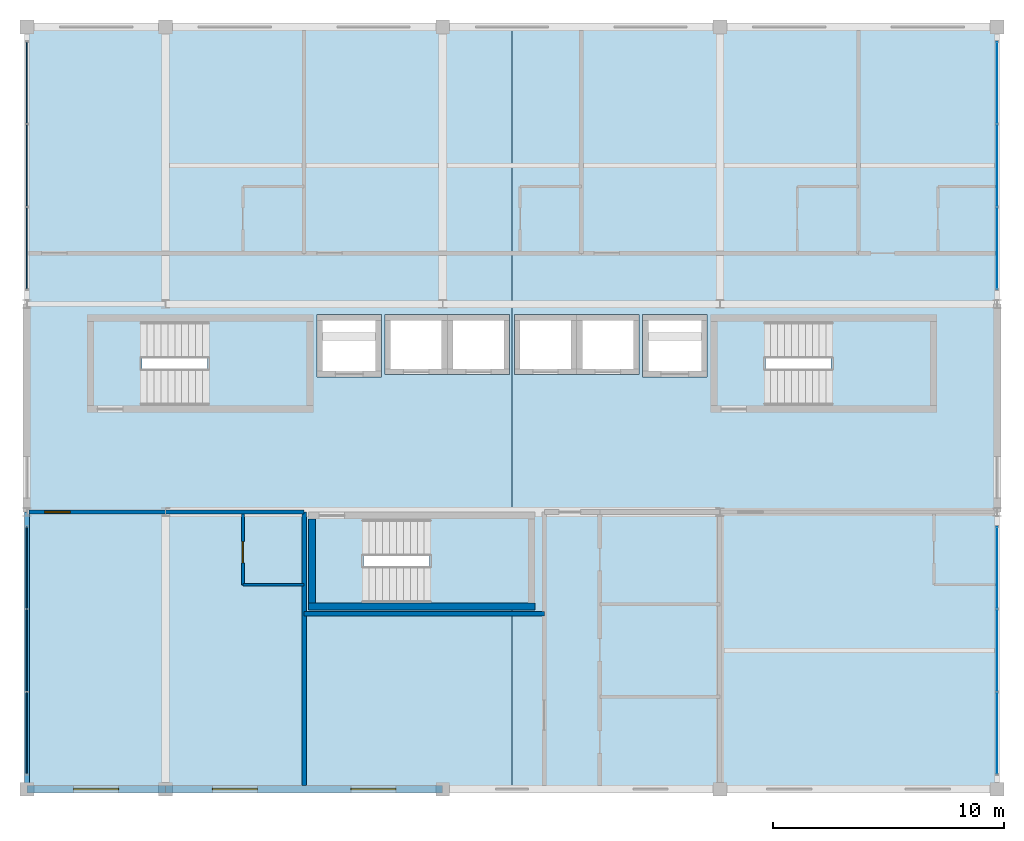
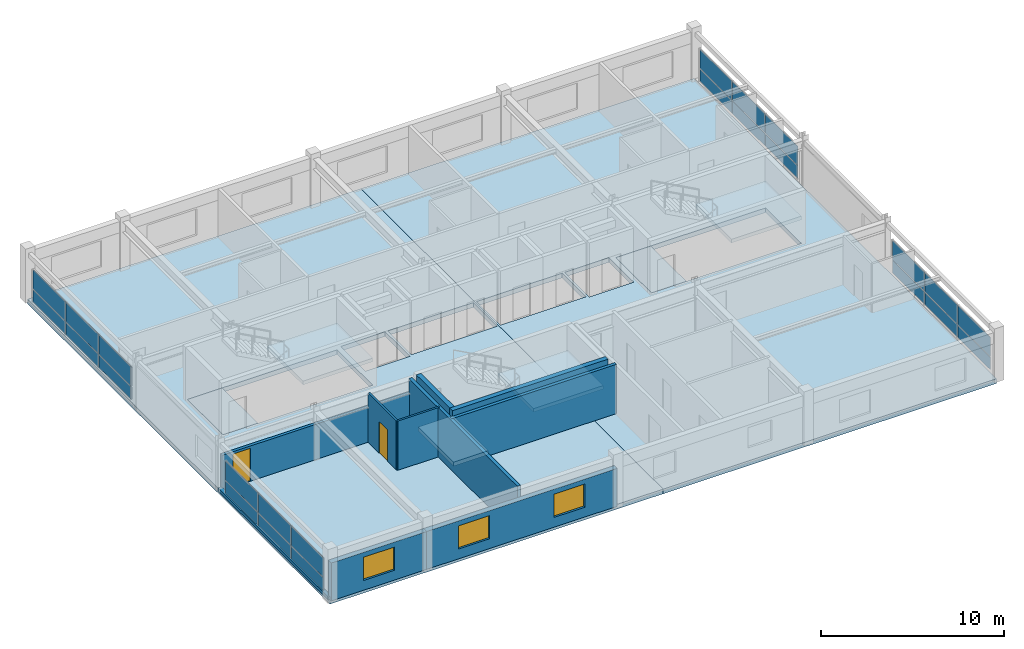
# One storey, part 18 of 22: 24 plates, 10 walls, 8 slabs, 3 windows, 2 doors, 5 openings, 7 elements without a shape of their own.
"""IFC4 building model written with IfcOpenShell, lengths in metres."""

from ifc_helpers import new_model, si_unit, direction, frame, frame_2d, origin, origin_2d, place, context, subcontext, project, spatial, polyline, rectangle, outline, extrude, material, layer, layer_set, type_object, element, fill, aggregate, save


model = new_model("IFC4")

# Units and contexts
model_context = context("Model", 3, precision=1e-05, world=origin(), true_north=direction((0.0, 1.0)))
body_context = subcontext(model_context, "Body", "Model", "MODEL_VIEW")
ifc_project = project(units=[si_unit("LENGTHUNIT", "METRE"), si_unit("AREAUNIT", "SQUARE_METRE"), si_unit("VOLUMEUNIT", "CUBIC_METRE"), si_unit("PLANEANGLEUNIT", "RADIAN"), si_unit("MASSUNIT", "GRAM", prefix="KILO")], contexts=[model_context])

# Site, building, storey
site_placement = place(None, origin())
site = spatial("IfcSite", under=ifc_project, at=site_placement, CompositionType="ELEMENT")
building_placement = place(site_placement, origin())
building = spatial("IfcBuilding", under=site, at=building_placement, Name="Kaldorvane Square Convention Centre", CompositionType="ELEMENT")
storey_placement = place(building_placement, frame((0.0, 0.0, 67.19999694824219)))
storey = spatial("IfcBuildingStorey", under=building, at=storey_placement, Name="L16", CompositionType="ELEMENT", Elevation=67.19999694824219)

# Curtain wall, plates
ifc_material_1 = material(Name="Anodized Aluminum and Low-E Insulated Glazing", Category="aluminium")
curtain_wall_type_1 = type_object("IfcCurtainWallType", Name="CW-UNI-HTL-A", PredefinedType="USERDEFINED", material=ifc_material_1)
curtain_wall_1_placement = place(storey_placement, origin())
curtain_wall_1 = element("IfcCurtainWall", 1, at=curtain_wall_1_placement, inside=storey, type_object=curtain_wall_type_1, Name="Curtain Wall CW-10 (L16)", ObjectType="UNITISED GLAZING", PredefinedType="USERDEFINED")
ifc_layer_1 = layer(ifc_material_1, 0.0240020751953125)
ifc_layer_set_1 = layer_set([ifc_layer_1], Name="Anodized Aluminum and Low-E Insulated Glazing")
plate_type_1 = type_object("IfcPlateType", Name="CW-PNL-11", PredefinedType="CURTAIN_PANEL", material=ifc_layer_set_1)
plate_1_placement = place(storey_placement, frame((78.0, 86.41499328613281, 0.2050018310546875), z_axis=(0.0, 0.0, 1.0), x_axis=(0.0, 1.0, 0.0)))
plate_1 = element("IfcPlate", 2, at=plate_1_placement, type_object=plate_type_1, Name="CW-10 panel 1.1", PredefinedType="CURTAIN_PANEL", context=body_context, shape_type="SweptSolid", body=[
    extrude(rectangle(XDim=3.5099945068359375, YDim=0.0240020751953125, at=origin_2d()), origin(), (0.0, 0.0, 1.0), 0.8175048828125),
])
plate_2_placement = place(storey_placement, frame((78.0, 86.41499328613281, 1.0775146484375), z_axis=(0.0, 0.0, 1.0), x_axis=(0.0, 1.0, 0.0)))
plate_2 = element("IfcPlate", 3, at=plate_2_placement, type_object=plate_type_1, Name="CW-10 panel 1.2", PredefinedType="CURTAIN_PANEL", context=body_context, shape_type="SweptSolid", body=[
    extrude(rectangle(XDim=3.5099945068359375, YDim=0.0240020751953125, at=origin_2d()), origin(), (0.0, 0.0, 1.0), 1.2675018310546875),
])
plate_3_placement = place(storey_placement, frame((78.0, 90.0, 0.2050018310546875), z_axis=(0.0, 0.0, 1.0), x_axis=(0.0, 1.0, 0.0)))
plate_3 = element("IfcPlate", 4, at=plate_3_placement, type_object=plate_type_1, Name="CW-10 panel 2.1", PredefinedType="CURTAIN_PANEL", context=body_context, shape_type="SweptSolid", body=[
    extrude(rectangle(XDim=3.5399932861328125, YDim=0.0240020751953125, at=origin_2d()), origin(), (0.0, 0.0, 1.0), 0.8175048828125),
])
plate_4_placement = place(storey_placement, frame((78.0, 90.0, 1.0775146484375), z_axis=(0.0, 0.0, 1.0), x_axis=(0.0, 1.0, 0.0)))
plate_4 = element("IfcPlate", 5, at=plate_4_placement, type_object=plate_type_1, Name="CW-10 panel 2.2", PredefinedType="CURTAIN_PANEL", context=body_context, shape_type="SweptSolid", body=[
    extrude(rectangle(XDim=3.5399932861328125, YDim=0.0240020751953125, at=origin_2d()), origin(), (0.0, 0.0, 1.0), 1.2675018310546875),
])
plate_5_placement = place(storey_placement, frame((78.0, 93.58500671386719, 0.2050018310546875), z_axis=(0.0, 0.0, 1.0), x_axis=(0.0, 1.0, 0.0)))
plate_5 = element("IfcPlate", 6, at=plate_5_placement, type_object=plate_type_1, Name="CW-10 panel 3.1", PredefinedType="CURTAIN_PANEL", context=body_context, shape_type="SweptSolid", body=[
    extrude(rectangle(XDim=3.5099945068359375, YDim=0.0240020751953125, at=origin_2d()), origin(), (0.0, 0.0, 1.0), 0.8175048828125),
])
plate_6_placement = place(storey_placement, frame((78.0, 93.58500671386719, 1.0775146484375), z_axis=(0.0, 0.0, 1.0), x_axis=(0.0, 1.0, 0.0)))
plate_6 = element("IfcPlate", 7, at=plate_6_placement, type_object=plate_type_1, Name="CW-10 panel 3.2", PredefinedType="CURTAIN_PANEL", context=body_context, shape_type="SweptSolid", body=[
    extrude(rectangle(XDim=3.5099945068359375, YDim=0.0240020751953125, at=origin_2d()), origin(), (0.0, 0.0, 1.0), 1.2675018310546875),
])
aggregate(curtain_wall_1, [plate_1, plate_2, plate_3, plate_4, plate_5, plate_6])

curtain_wall_2_placement = place(storey_placement, origin())
curtain_wall_2 = element("IfcCurtainWall", 8, at=curtain_wall_2_placement, inside=storey, type_object=curtain_wall_type_1, Name="Curtain Wall CW-10 (L16)", ObjectType="UNITISED GLAZING", PredefinedType="USERDEFINED")
plate_7_placement = place(storey_placement, frame((78.0, 107.41499328613281, 0.2050018310546875), z_axis=(0.0, 0.0, 1.0), x_axis=(0.0, 1.0, 0.0)))
plate_7 = element("IfcPlate", 9, at=plate_7_placement, type_object=plate_type_1, Name="CW-10 panel 1.1", PredefinedType="CURTAIN_PANEL", context=body_context, shape_type="SweptSolid", body=[
    extrude(rectangle(XDim=3.5099945068359375, YDim=0.0240020751953125, at=origin_2d()), origin(), (0.0, 0.0, 1.0), 0.8175048828125),
])
plate_8_placement = place(storey_placement, frame((78.0, 107.41499328613281, 1.0775146484375), z_axis=(0.0, 0.0, 1.0), x_axis=(0.0, 1.0, 0.0)))
plate_8 = element("IfcPlate", 10, at=plate_8_placement, type_object=plate_type_1, Name="CW-10 panel 1.2", PredefinedType="CURTAIN_PANEL", context=body_context, shape_type="SweptSolid", body=[
    extrude(rectangle(XDim=3.5099945068359375, YDim=0.0240020751953125, at=origin_2d()), origin(), (0.0, 0.0, 1.0), 1.2675018310546875),
])
plate_9_placement = place(storey_placement, frame((78.0, 111.0, 0.2050018310546875), z_axis=(0.0, 0.0, 1.0), x_axis=(0.0, 1.0, 0.0)))
plate_9 = element("IfcPlate", 11, at=plate_9_placement, type_object=plate_type_1, Name="CW-10 panel 2.1", PredefinedType="CURTAIN_PANEL", context=body_context, shape_type="SweptSolid", body=[
    extrude(rectangle(XDim=3.5399932861328125, YDim=0.0240020751953125, at=origin_2d()), origin(), (0.0, 0.0, 1.0), 0.8175048828125),
])
plate_10_placement = place(storey_placement, frame((78.0, 111.0, 1.0775146484375), z_axis=(0.0, 0.0, 1.0), x_axis=(0.0, 1.0, 0.0)))
plate_10 = element("IfcPlate", 12, at=plate_10_placement, type_object=plate_type_1, Name="CW-10 panel 2.2", PredefinedType="CURTAIN_PANEL", context=body_context, shape_type="SweptSolid", body=[
    extrude(rectangle(XDim=3.5399932861328125, YDim=0.0240020751953125, at=origin_2d()), origin(), (0.0, 0.0, 1.0), 1.2675018310546875),
])
plate_11_placement = place(storey_placement, frame((78.0, 114.58500671386719, 0.2050018310546875), z_axis=(0.0, 0.0, 1.0), x_axis=(0.0, 1.0, 0.0)))
plate_11 = element("IfcPlate", 13, at=plate_11_placement, type_object=plate_type_1, Name="CW-10 panel 3.1", PredefinedType="CURTAIN_PANEL", context=body_context, shape_type="SweptSolid", body=[
    extrude(rectangle(XDim=3.5099945068359375, YDim=0.0240020751953125, at=origin_2d()), origin(), (0.0, 0.0, 1.0), 0.8175048828125),
])
plate_12_placement = place(storey_placement, frame((78.0, 114.58500671386719, 1.0775146484375), z_axis=(0.0, 0.0, 1.0), x_axis=(0.0, 1.0, 0.0)))
plate_12 = element("IfcPlate", 14, at=plate_12_placement, type_object=plate_type_1, Name="CW-10 panel 3.2", PredefinedType="CURTAIN_PANEL", context=body_context, shape_type="SweptSolid", body=[
    extrude(rectangle(XDim=3.5099945068359375, YDim=0.0240020751953125, at=origin_2d()), origin(), (0.0, 0.0, 1.0), 1.2675018310546875),
])
aggregate(curtain_wall_2, [plate_7, plate_8, plate_9, plate_10, plate_11, plate_12])

curtain_wall_type_2 = type_object("IfcCurtainWallType", Name="CW-UNI-HTL-B", PredefinedType="USERDEFINED", material=ifc_material_1)
curtain_wall_3_placement = place(storey_placement, origin())
curtain_wall_3 = element("IfcCurtainWall", 15, at=curtain_wall_3_placement, inside=storey, type_object=curtain_wall_type_2, Name="Curtain Wall CW-11 (L16)", ObjectType="UNITISED GLAZING", PredefinedType="USERDEFINED")
ifc_layer_2 = layer(ifc_material_1, 0.0460052490234375)
ifc_layer_set_2 = layer_set([ifc_layer_2], Name="Anodized Aluminum and Low-E Insulated Glazing")
plate_type_2 = type_object("IfcPlateType", Name="CW-PNL-12", PredefinedType="CURTAIN_PANEL", material=ifc_layer_set_2)
plate_13_placement = place(storey_placement, frame((36.0, 93.58500671386719, 0.2050018310546875), z_axis=(0.0, 0.0, 1.0), x_axis=(0.0, -1.0, 0.0)))
plate_13 = element("IfcPlate", 16, at=plate_13_placement, type_object=plate_type_2, Name="CW-11 panel 1.1", PredefinedType="CURTAIN_PANEL", context=body_context, shape_type="SweptSolid", body=[
    extrude(rectangle(XDim=3.5099945068359375, YDim=0.0460052490234375, at=origin_2d()), origin(), (0.0, 0.0, 1.0), 0.8175048828125),
])
plate_14_placement = place(storey_placement, frame((36.0, 93.58500671386719, 1.0775146484375), z_axis=(0.0, 0.0, 1.0), x_axis=(0.0, -1.0, 0.0)))
plate_14 = element("IfcPlate", 17, at=plate_14_placement, type_object=plate_type_2, Name="CW-11 panel 1.2", PredefinedType="CURTAIN_PANEL", context=body_context, shape_type="SweptSolid", body=[
    extrude(rectangle(XDim=3.5099945068359375, YDim=0.0460052490234375, at=origin_2d()), origin(), (0.0, 0.0, 1.0), 1.2675018310546875),
])
plate_15_placement = place(storey_placement, frame((36.0, 90.0, 0.2050018310546875), z_axis=(0.0, 0.0, 1.0), x_axis=(0.0, -1.0, 0.0)))
plate_15 = element("IfcPlate", 18, at=plate_15_placement, type_object=plate_type_2, Name="CW-11 panel 2.1", PredefinedType="CURTAIN_PANEL", context=body_context, shape_type="SweptSolid", body=[
    extrude(rectangle(XDim=3.5399932861328125, YDim=0.0460052490234375, at=origin_2d()), origin(), (0.0, 0.0, 1.0), 0.8175048828125),
])
plate_16_placement = place(storey_placement, frame((36.0, 90.0, 1.0775146484375), z_axis=(0.0, 0.0, 1.0), x_axis=(0.0, -1.0, 0.0)))
plate_16 = element("IfcPlate", 19, at=plate_16_placement, type_object=plate_type_2, Name="CW-11 panel 2.2", PredefinedType="CURTAIN_PANEL", context=body_context, shape_type="SweptSolid", body=[
    extrude(rectangle(XDim=3.5399932861328125, YDim=0.0460052490234375, at=origin_2d()), origin(), (0.0, 0.0, 1.0), 1.2675018310546875),
])
plate_17_placement = place(storey_placement, frame((36.0, 86.41499328613281, 0.2050018310546875), z_axis=(0.0, 0.0, 1.0), x_axis=(0.0, -1.0, 0.0)))
plate_17 = element("IfcPlate", 20, at=plate_17_placement, type_object=plate_type_2, Name="CW-11 panel 3.1", PredefinedType="CURTAIN_PANEL", context=body_context, shape_type="SweptSolid", body=[
    extrude(rectangle(XDim=3.5099945068359375, YDim=0.0460052490234375, at=origin_2d()), origin(), (0.0, 0.0, 1.0), 0.8175048828125),
])
plate_18_placement = place(storey_placement, frame((36.0, 86.41499328613281, 1.0775146484375), z_axis=(0.0, 0.0, 1.0), x_axis=(0.0, -1.0, 0.0)))
plate_18 = element("IfcPlate", 21, at=plate_18_placement, type_object=plate_type_2, Name="CW-11 panel 3.2", PredefinedType="CURTAIN_PANEL", context=body_context, shape_type="SweptSolid", body=[
    extrude(rectangle(XDim=3.5099945068359375, YDim=0.0460052490234375, at=origin_2d()), origin(), (0.0, 0.0, 1.0), 1.2675018310546875),
])
aggregate(curtain_wall_3, [plate_13, plate_14, plate_15, plate_16, plate_17, plate_18])

curtain_wall_4_placement = place(storey_placement, origin())
curtain_wall_4 = element("IfcCurtainWall", 22, at=curtain_wall_4_placement, inside=storey, type_object=curtain_wall_type_2, Name="Curtain Wall CW-11 (L16)", ObjectType="UNITISED GLAZING", PredefinedType="USERDEFINED")
plate_19_placement = place(storey_placement, frame((36.0, 114.58500671386719, 0.2050018310546875), z_axis=(0.0, 0.0, 1.0), x_axis=(0.0, -1.0, 0.0)))
plate_19 = element("IfcPlate", 23, at=plate_19_placement, type_object=plate_type_2, Name="CW-11 panel 1.1", PredefinedType="CURTAIN_PANEL", context=body_context, shape_type="SweptSolid", body=[
    extrude(rectangle(XDim=3.5099945068359375, YDim=0.0460052490234375, at=origin_2d()), origin(), (0.0, 0.0, 1.0), 0.8175048828125),
])
plate_20_placement = place(storey_placement, frame((36.0, 114.58500671386719, 1.0775146484375), z_axis=(0.0, 0.0, 1.0), x_axis=(0.0, -1.0, 0.0)))
plate_20 = element("IfcPlate", 24, at=plate_20_placement, type_object=plate_type_2, Name="CW-11 panel 1.2", PredefinedType="CURTAIN_PANEL", context=body_context, shape_type="SweptSolid", body=[
    extrude(rectangle(XDim=3.5099945068359375, YDim=0.0460052490234375, at=origin_2d()), origin(), (0.0, 0.0, 1.0), 1.2675018310546875),
])
plate_21_placement = place(storey_placement, frame((36.0, 111.0, 0.2050018310546875), z_axis=(0.0, 0.0, 1.0), x_axis=(0.0, -1.0, 0.0)))
plate_21 = element("IfcPlate", 25, at=plate_21_placement, type_object=plate_type_2, Name="CW-11 panel 2.1", PredefinedType="CURTAIN_PANEL", context=body_context, shape_type="SweptSolid", body=[
    extrude(rectangle(XDim=3.5399932861328125, YDim=0.0460052490234375, at=origin_2d()), origin(), (0.0, 0.0, 1.0), 0.8175048828125),
])
plate_22_placement = place(storey_placement, frame((36.0, 111.0, 1.0775146484375), z_axis=(0.0, 0.0, 1.0), x_axis=(0.0, -1.0, 0.0)))
plate_22 = element("IfcPlate", 26, at=plate_22_placement, type_object=plate_type_2, Name="CW-11 panel 2.2", PredefinedType="CURTAIN_PANEL", context=body_context, shape_type="SweptSolid", body=[
    extrude(rectangle(XDim=3.5399932861328125, YDim=0.0460052490234375, at=origin_2d()), origin(), (0.0, 0.0, 1.0), 1.2675018310546875),
])
plate_23_placement = place(storey_placement, frame((36.0, 107.41499328613281, 0.2050018310546875), z_axis=(0.0, 0.0, 1.0), x_axis=(0.0, -1.0, 0.0)))
plate_23 = element("IfcPlate", 27, at=plate_23_placement, type_object=plate_type_2, Name="CW-11 panel 3.1", PredefinedType="CURTAIN_PANEL", context=body_context, shape_type="SweptSolid", body=[
    extrude(rectangle(XDim=3.5099945068359375, YDim=0.0460052490234375, at=origin_2d()), origin(), (0.0, 0.0, 1.0), 0.8175048828125),
])
plate_24_placement = place(storey_placement, frame((36.0, 107.41499328613281, 1.0775146484375), z_axis=(0.0, 0.0, 1.0), x_axis=(0.0, -1.0, 0.0)))
plate_24 = element("IfcPlate", 28, at=plate_24_placement, type_object=plate_type_2, Name="CW-11 panel 3.2", PredefinedType="CURTAIN_PANEL", context=body_context, shape_type="SweptSolid", body=[
    extrude(rectangle(XDim=3.5099945068359375, YDim=0.0460052490234375, at=origin_2d()), origin(), (0.0, 0.0, 1.0), 1.2675018310546875),
])
aggregate(curtain_wall_4, [plate_19, plate_20, plate_21, plate_22, plate_23, plate_24])

# Slabs
ifc_material_2 = material(Name="Concrete f'c = 42 MPa (Normalweight)", Category="concrete")
ifc_layer_3 = layer(ifc_material_2, 0.279998779296875)
ifc_layer_set_3 = layer_set([ifc_layer_3], Name="Concrete f'c = 42 MPa (Normalweight)")
slab_type_1 = type_object("IfcSlabType", Name="SL-FLND-280", PredefinedType="FLOOR", material=ifc_layer_set_3)
slab_1_placement = place(storey_placement, frame((0.0, 0.0, -0.279998779296875)))
element("IfcSlab", 29, at=slab_1_placement, inside=storey, type_object=slab_type_1, Name="Tower Exit Stair T1 Floor Landing (L16)", PredefinedType="FLOOR", context=body_context, shape_type="SweptSolid", body=[
    extrude(outline(polyline([(38.779998779296875, 100.49000549316406), (40.97999572753906, 100.49000549316406), (40.97999572753906, 104.3699951171875), (38.779998779296875, 104.3699951171875), (38.779998779296875, 100.49000549316406)])), origin(), (0.0, 0.0, 1.0), 0.279998779296875),
])
slab_2_placement = place(storey_placement, frame((0.0, 0.0, -0.279998779296875)))
element("IfcSlab", 30, at=slab_2_placement, inside=storey, type_object=slab_type_1, Name="Tower Exit Stair T2 Floor Landing (L16)", PredefinedType="FLOOR", context=body_context, shape_type="SweptSolid", body=[
    extrude(outline(polyline([(65.77999877929688, 100.49000549316406), (67.97999572753906, 100.49000549316406), (67.97999572753906, 104.3699951171875), (65.77999877929688, 104.3699951171875), (65.77999877929688, 100.49000549316406)])), origin(), (0.0, 0.0, 1.0), 0.279998779296875),
])
slab_3_placement = place(storey_placement, frame((0.0, 0.0, -0.279998779296875)))
element("IfcSlab", 31, at=slab_3_placement, inside=storey, type_object=slab_type_1, Name="Tower Exit Stair T3 Floor Landing (L16)", PredefinedType="FLOOR", context=body_context, shape_type="SweptSolid", body=[
    extrude(outline(polyline([(48.3800048828125, 91.94000244140625), (50.58000183105469, 91.94000244140625), (50.58000183105469, 95.82000732421875), (48.3800048828125, 95.82000732421875), (48.3800048828125, 91.94000244140625)])), origin(), (0.0, 0.0, 1.0), 0.279998779296875),
])
ifc_layer_4 = layer(ifc_material_2, 0.30999755859375)
ifc_layer_set_4 = layer_set([ifc_layer_4], Name="Concrete f'c = 42 MPa (Normalweight)")
slab_type_2 = type_object("IfcSlabType", Name="SL-HTL-250", PredefinedType="FLOOR", material=ifc_layer_set_4)
slab_4_placement = place(storey_placement, frame((0.0, 0.0, -0.30999755859375)))
element("IfcSlab", 32, at=slab_4_placement, inside=storey, type_object=slab_type_2, Name="Hotel Tower Floor Slab L16-1.1", PredefinedType="FLOOR", context=body_context, shape_type="SweptSolid", body=[
    extrude(outline(polyline([(36.0, 117.0), (57.0, 117.0), (57.0, 95.82000732421875), (48.3800048828125, 95.82000732421875), (48.3800048828125, 91.94000244140625), (57.0, 91.94000244140625), (57.0, 84.0), (36.0, 84.0), (36.0, 117.0)]), holes=[polyline([(38.779998779296875, 104.3699951171875), (38.779998779296875, 100.49000549316406), (48.220001220703125, 100.49000549316406), (48.220001220703125, 104.3699951171875), (38.779998779296875, 104.3699951171875)]), polyline([(48.55000305175781, 104.55000305175781), (48.55000305175781, 101.85000610351562), (51.350006103515625, 101.85000610351562), (51.350006103515625, 104.55000305175781), (48.55000305175781, 104.55000305175781)]), polyline([(51.5, 104.55000305175781), (51.5, 101.94999694824219), (54.19999694824219, 101.94999694824219), (56.899993896484375, 101.94999694824219), (56.899993896484375, 104.55000305175781), (54.19999694824219, 104.55000305175781), (51.5, 104.55000305175781)])]), origin(), (0.0, 0.0, 1.0), 0.30999755859375),
])
slab_5_placement = place(storey_placement, frame((0.0, 0.0, -0.30999755859375)))
element("IfcSlab", 33, at=slab_5_placement, inside=storey, type_object=slab_type_2, Name="Hotel Tower Floor Slab L16-2.1", PredefinedType="FLOOR", context=body_context, shape_type="SweptSolid", body=[
    extrude(outline(polyline([(78.0, 117.0), (78.0, 84.0), (57.0, 84.0), (57.0, 91.94000244140625), (57.82000732421875, 91.94000244140625), (57.82000732421875, 95.82000732421875), (57.0, 95.82000732421875), (57.0, 117.0), (78.0, 117.0)]), holes=[polyline([(65.77999877929688, 104.3699951171875), (65.77999877929688, 100.49000549316406), (75.22000122070312, 100.49000549316406), (75.22000122070312, 104.3699951171875), (65.77999877929688, 104.3699951171875)]), polyline([(62.649993896484375, 104.55000305175781), (62.649993896484375, 101.85000610351562), (65.44999694824219, 101.85000610351562), (65.44999694824219, 104.55000305175781), (62.649993896484375, 104.55000305175781)]), polyline([(57.100006103515625, 104.55000305175781), (57.100006103515625, 101.94999694824219), (59.80000305175781, 101.94999694824219), (62.5, 101.94999694824219), (62.5, 104.55000305175781), (59.80000305175781, 104.55000305175781), (57.100006103515625, 104.55000305175781)])]), origin(), (0.0, 0.0, 1.0), 0.30999755859375),
])

# Stair, slab
stair_type = type_object("IfcStairType", Name="ST-DL-1600-3600", PredefinedType="HALF_TURN_STAIR", material=ifc_material_2)
stair_1_placement = place(storey_placement, origin())
stair_1 = element("IfcStair", 34, at=stair_1_placement, inside=storey, type_object=stair_type, Name="Tower Exit Stair T1 (L16)", PredefinedType="HALF_TURN_STAIR")
ifc_layer_5 = layer(ifc_material_2, 0.2400054931640625)
ifc_layer_set_5 = layer_set([ifc_layer_5], Name="Concrete f'c = 42 MPa (Normalweight)")
slab_type_3 = type_object("IfcSlabType", Name="SL-LAND-240", PredefinedType="LANDING", material=ifc_layer_set_5)
slab_6_placement = place(storey_placement, frame((0.0, 0.0, 1.55999755859375)))
slab_6 = element("IfcSlab", 35, at=slab_6_placement, type_object=slab_type_3, Name="Tower Exit Stair T1 Half Landing (L16)", PredefinedType="LANDING", context=body_context, shape_type="SweptSolid", body=[
    extrude(outline(polyline([(43.82000732421875, 100.49000549316406), (48.220001220703125, 100.49000549316406), (48.220001220703125, 104.3699951171875), (43.82000732421875, 104.3699951171875), (43.82000732421875, 100.49000549316406)])), origin(), (0.0, 0.0, 1.0), 0.2400054931640625),
])
aggregate(stair_1, [slab_6])

stair_2_placement = place(storey_placement, origin())
stair_2 = element("IfcStair", 36, at=stair_2_placement, inside=storey, type_object=stair_type, Name="Tower Exit Stair T2 (L16)", PredefinedType="HALF_TURN_STAIR")
slab_7_placement = place(storey_placement, frame((0.0, 0.0, 1.55999755859375)))
slab_7 = element("IfcSlab", 37, at=slab_7_placement, type_object=slab_type_3, Name="Tower Exit Stair T2 Half Landing (L16)", PredefinedType="LANDING", context=body_context, shape_type="SweptSolid", body=[
    extrude(outline(polyline([(70.82000732421875, 100.49000549316406), (75.22000122070312, 100.49000549316406), (75.22000122070312, 104.3699951171875), (70.82000732421875, 104.3699951171875), (70.82000732421875, 100.49000549316406)])), origin(), (0.0, 0.0, 1.0), 0.2400054931640625),
])
aggregate(stair_2, [slab_7])

stair_3_placement = place(storey_placement, origin())
stair_3 = element("IfcStair", 38, at=stair_3_placement, inside=storey, type_object=stair_type, Name="Tower Exit Stair T3 (L16)", PredefinedType="HALF_TURN_STAIR")
slab_8_placement = place(storey_placement, frame((0.0, 0.0, 1.55999755859375)))
slab_8 = element("IfcSlab", 39, at=slab_8_placement, type_object=slab_type_3, Name="Tower Exit Stair T3 Half Landing (L16)", PredefinedType="LANDING", context=body_context, shape_type="SweptSolid", body=[
    extrude(outline(polyline([(53.41999816894531, 91.94000244140625), (57.82000732421875, 91.94000244140625), (57.82000732421875, 95.82000732421875), (53.41999816894531, 95.82000732421875), (53.41999816894531, 91.94000244140625)])), origin(), (0.0, 0.0, 1.0), 0.2400054931640625),
])
aggregate(stair_3, [slab_8])

# Wall, opening, door
ifc_material_3 = material(Name="Fire-Rated Gypsum Board on Acoustic Steel Studs", Category="steel")
ifc_layer_6 = layer(ifc_material_3, 0.125)
ifc_layer_set_6 = layer_set([ifc_layer_6], Name="Fire-Rated Gypsum Board on Acoustic Steel Studs")
wall_type_1 = type_object("IfcWallType", Name="WL-BATH-125", PredefinedType="PARTITIONING", material=ifc_layer_set_6)
wall_1_placement = place(storey_placement, frame((45.350006103515625, 92.85000610351562, 0.0), z_axis=(0.0, 0.0, 1.0), x_axis=(0.0, 1.0, 0.0)))
wall_1 = element("IfcWall", 40, at=wall_1_placement, inside=storey, type_object=wall_type_1, Name="En-Suite 1605 West Wall", PredefinedType="PARTITIONING", context=body_context, shape_type="SweptSolid", body=[
    extrude(rectangle(XDim=3.05999755859375, YDim=0.125, at=frame_2d((1.529998779296875, 0.0))), origin(), (0.0, 0.0, 1.0), 3.279998779296875),
])
opening_1_placement = place(wall_1_placement, frame((0.9499969482421875, 0.0, 0.0)))
opening_1 = element("IfcOpeningElement", 41, at=opening_1_placement, cuts=wall_1, Name="Opening ID-12", PredefinedType="OPENING", context=body_context, shape_type="SweptSolid", body=[
    extrude(rectangle(XDim=0.9199981689453125, YDim=2.100006103515625, at=frame_2d((0.459991455078125, 1.0500030517578125))), frame((0.0, 0.0774993896484375, 0.0), z_axis=(0.0, -1.0, 0.0), x_axis=(1.0, 0.0, 0.0)), (0.0, 0.0, 1.0), 0.154998779296875),
])
ifc_material_4 = material(Name="Architectural Solid-Core White Oak")
door_type_1 = type_object("IfcDoorType", Name="DR-BATH-0920X2100", OperationType="SINGLE_SWING_RIGHT", PredefinedType="DOOR", material=ifc_material_4)
door_1_placement = place(opening_1_placement, origin())
door_1 = element("IfcDoor", 42, at=door_1_placement, inside=storey, type_object=door_type_1, Name="En-Suite Bathroom 1605 Door", OperationType="SINGLE_SWING_RIGHT", OverallHeight=2.100006103515625, OverallWidth=0.9199981689453125, PredefinedType="DOOR", context=body_context, shape_type="SweptSolid", body=[
    extrude(rectangle(XDim=0.9199981689453125, YDim=2.100006103515625, at=frame_2d((0.459991455078125, 1.0500030517578125))), frame((0.0, 0.024993896484375, 0.0), z_axis=(0.0, -1.0, 0.0), x_axis=(1.0, 0.0, 0.0)), (0.0, 0.0, 1.0), 0.0500030517578125),
])
fill(opening_1, door_1)

# Walls
wall_2_placement = place(storey_placement, frame((45.350006103515625, 92.85000610351562, 0.0), z_axis=(0.0, 0.0, 1.0), x_axis=(1.0, 0.0, 0.0)))
element("IfcWall", 43, at=wall_2_placement, inside=storey, type_object=wall_type_1, Name="En-Suite 1605 South Wall", PredefinedType="PARTITIONING", context=body_context, shape_type="SweptSolid", body=[
    extrude(rectangle(XDim=2.649993896484375, YDim=0.125, at=frame_2d((1.3249969482421875, 0.0))), origin(), (0.0, 0.0, 1.0), 3.279998779296875),
])
ifc_layer_7 = layer(ifc_material_3, 0.1999969482421875)
ifc_layer_set_7 = layer_set([ifc_layer_7], Name="Fire-Rated Gypsum Board on Acoustic Steel Studs")
wall_type_2 = type_object("IfcWallType", Name="WL-CORR-200", PredefinedType="PARTITIONING", material=ifc_layer_set_7)
wall_3_placement = place(storey_placement, frame((48.0, 91.60000610351562, 0.0), z_axis=(0.0, 0.0, 1.0), x_axis=(1.0, 0.0, 0.0)))
element("IfcWall", 44, at=wall_3_placement, inside=storey, type_object=wall_type_2, Name="Housekeeping North Wall (L16)", PredefinedType="PARTITIONING", context=body_context, shape_type="SweptSolid", body=[
    extrude(rectangle(XDim=10.399993896484375, YDim=0.1999969482421875, at=frame_2d((5.1999969482421875, 0.0))), origin(), (0.0, 0.0, 1.0), 3.279998779296875),
])
wall_4_placement = place(storey_placement, frame((48.0, 84.16000366210938, 0.0), z_axis=(0.0, 0.0, 1.0), x_axis=(0.0, 1.0, 0.0)))
element("IfcWall", 45, at=wall_4_placement, inside=storey, type_object=wall_type_2, Name="Service Block West Wall (L16)", PredefinedType="PARTITIONING", context=body_context, shape_type="SweptSolid", body=[
    extrude(rectangle(XDim=11.839996337890625, YDim=0.1999969482421875, at=frame_2d((5.9199981689453125, 0.0))), origin(), (0.0, 0.0, 1.0), 3.279998779296875),
])

# Wall, opening, window
ifc_material_5 = material(Name="Concrete f'c = 35 MPa (Normalweight)", Category="concrete")
ifc_layer_8 = layer(ifc_material_5, 0.32000732421875)
ifc_layer_set_8 = layer_set([ifc_layer_8], Name="Concrete f'c = 35 MPa (Normalweight)")
wall_type_3 = type_object("IfcWallType", Name="WL-EXT-320", PredefinedType="STANDARD", material=ifc_layer_set_8)
wall_5_placement = place(storey_placement, frame((36.0, 84.0, 0.0), z_axis=(0.0, 0.0, 1.0), x_axis=(1.0, 0.0, 0.0)))
wall_5 = element("IfcWall", 46, at=wall_5_placement, inside=storey, type_object=wall_type_3, Name="Hotel S Brutalist Facade Wall (L16)", PredefinedType="STANDARD", context=body_context, shape_type="SweptSolid", body=[
    extrude(rectangle(XDim=6.0, YDim=0.32000732421875, at=frame_2d((3.0, 0.0))), origin(), (0.0, 0.0, 1.0), 2.5260009765625),
])
opening_2_placement = place(wall_5_placement, frame((2.024993896484375, 0.0, 0.649993896484375)))
opening_2 = element("IfcOpeningElement", 47, at=opening_2_placement, cuts=wall_5, Name="Opening W-12", PredefinedType="OPENING", context=body_context, shape_type="SweptSolid", body=[
    extrude(rectangle(XDim=1.9499969482421875, YDim=1.5500030517578125, at=frame_2d((0.975006103515625, 0.774993896484375))), frame((0.0, 0.1750030517578125, 0.0), z_axis=(0.0, -1.0, 0.0), x_axis=(1.0, 0.0, 0.0)), (0.0, 0.0, 1.0), 0.350006103515625),
])
window_type = type_object("IfcWindowType", Name="WN-HTL-1950X1550", PartitioningType="DOUBLE_PANEL_VERTICAL", PredefinedType="WINDOW", material=ifc_material_1)
window_1_placement = place(opening_2_placement, origin())
window_1 = element("IfcWindow", 48, at=window_1_placement, inside=storey, type_object=window_type, Name="Hotel S Window (L16)", OverallHeight=1.5500030517578125, OverallWidth=1.9499969482421875, PartitioningType="DOUBLE_PANEL_VERTICAL", PredefinedType="WINDOW", context=body_context, shape_type="SweptSolid", body=[
    extrude(rectangle(XDim=1.9499969482421875, YDim=1.5500030517578125, at=frame_2d((0.975006103515625, 0.774993896484375))), frame((0.0, 0.029998779296875, 0.0), z_axis=(0.0, -1.0, 0.0), x_axis=(1.0, 0.0, 0.0)), (0.0, 0.0, 1.0), 0.05999755859375),
])
fill(opening_2, window_1)

# Wall, openings, windows
wall_6_placement = place(storey_placement, frame((42.0, 84.0, 0.0), z_axis=(0.0, 0.0, 1.0), x_axis=(1.0, 0.0, 0.0)))
wall_6 = element("IfcWall", 49, at=wall_6_placement, inside=storey, type_object=wall_type_3, Name="Hotel S Brutalist Facade Wall (L16)", PredefinedType="STANDARD", context=body_context, shape_type="SweptSolid", body=[
    extrude(rectangle(XDim=12.0, YDim=0.32000732421875, at=frame_2d((6.0, 0.0))), origin(), (0.0, 0.0, 1.0), 2.5260009765625),
])
opening_3_placement = place(wall_6_placement, frame((2.024993896484375, 0.0, 0.649993896484375)))
opening_3 = element("IfcOpeningElement", 50, at=opening_3_placement, cuts=wall_6, Name="Opening W-12", PredefinedType="OPENING", context=body_context, shape_type="SweptSolid", body=[
    extrude(rectangle(XDim=1.9499969482421875, YDim=1.5500030517578125, at=frame_2d((0.975006103515625, 0.774993896484375))), frame((0.0, 0.1750030517578125, 0.0), z_axis=(0.0, -1.0, 0.0), x_axis=(1.0, 0.0, 0.0)), (0.0, 0.0, 1.0), 0.350006103515625),
])
opening_4_placement = place(wall_6_placement, frame((8.024993896484375, 0.0, 0.649993896484375)))
opening_4 = element("IfcOpeningElement", 51, at=opening_4_placement, cuts=wall_6, Name="Opening W-12", PredefinedType="OPENING", context=body_context, shape_type="SweptSolid", body=[
    extrude(rectangle(XDim=1.9499969482421875, YDim=1.5500030517578125, at=frame_2d((0.975006103515625, 0.774993896484375))), frame((0.0, 0.1750030517578125, 0.0), z_axis=(0.0, -1.0, 0.0), x_axis=(1.0, 0.0, 0.0)), (0.0, 0.0, 1.0), 0.350006103515625),
])
window_2_placement = place(opening_3_placement, origin())
window_2 = element("IfcWindow", 52, at=window_2_placement, inside=storey, type_object=window_type, Name="Hotel S Window (L16)", OverallHeight=1.5500030517578125, OverallWidth=1.9499969482421875, PartitioningType="DOUBLE_PANEL_VERTICAL", PredefinedType="WINDOW", context=body_context, shape_type="SweptSolid", body=[
    extrude(rectangle(XDim=1.9499969482421875, YDim=1.5500030517578125, at=frame_2d((0.975006103515625, 0.774993896484375))), frame((0.0, 0.029998779296875, 0.0), z_axis=(0.0, -1.0, 0.0), x_axis=(1.0, 0.0, 0.0)), (0.0, 0.0, 1.0), 0.05999755859375),
])
fill(opening_3, window_2)
window_3_placement = place(opening_4_placement, origin())
window_3 = element("IfcWindow", 53, at=window_3_placement, inside=storey, type_object=window_type, Name="Hotel S Window (L16)", OverallHeight=1.5500030517578125, OverallWidth=1.9499969482421875, PartitioningType="DOUBLE_PANEL_VERTICAL", PredefinedType="WINDOW", context=body_context, shape_type="SweptSolid", body=[
    extrude(rectangle(XDim=1.9499969482421875, YDim=1.5500030517578125, at=frame_2d((0.975006103515625, 0.774993896484375))), frame((0.0, 0.029998779296875, 0.0), z_axis=(0.0, -1.0, 0.0), x_axis=(1.0, 0.0, 0.0)), (0.0, 0.0, 1.0), 0.05999755859375),
])
fill(opening_4, window_3)

# Walls
ifc_layer_9 = layer(ifc_material_5, 0.220001220703125)
ifc_layer_set_9 = layer_set([ifc_layer_9], Name="Concrete f'c = 35 MPa (Normalweight)")
wall_type_4 = type_object("IfcWallType", Name="WL-PAR-220", PredefinedType="PARAPET", material=ifc_layer_set_9)
wall_7_placement = place(storey_placement, frame((36.0, 96.0, 0.0), z_axis=(0.0, 0.0, 1.0), x_axis=(0.0, -1.0, 0.0)))
element("IfcWall", 54, at=wall_7_placement, inside=storey, type_object=wall_type_4, Name="Hotel End Curtain-Wall Sill (L16)", PredefinedType="PARAPET", context=body_context, shape_type="SweptSolid", body=[
    extrude(rectangle(XDim=12.0, YDim=0.220001220703125, at=frame_2d((6.0, 0.0))), origin(), (0.0, 0.0, 1.0), 0.1999969482421875),
])
ifc_material_6 = material(Name="Concrete f'c = 55 MPa (Normalweight)", Category="concrete")
ifc_layer_10 = layer(ifc_material_6, 0.3000030517578125)
ifc_layer_set_10 = layer_set([ifc_layer_10], Name="Concrete f'c = 55 MPa (Normalweight)")
wall_type_5 = type_object("IfcWallType", Name="WL-SHAFT-300", PredefinedType="SHEAR", material=ifc_layer_set_10)
wall_8_placement = place(storey_placement, frame((48.19999694824219, 91.91000366210938, 0.0), z_axis=(0.0, 0.0, 1.0), x_axis=(1.0, 0.0, 0.0)))
element("IfcWall", 55, at=wall_8_placement, inside=storey, type_object=wall_type_5, Name="Core Enclosure Wall stair:ST-T3-S (L16)", PredefinedType="SHEAR", context=body_context, shape_type="SweptSolid", body=[
    extrude(rectangle(XDim=9.800003051757812, YDim=0.3000030517578125, at=frame_2d((4.899993896484375, 0.0))), origin(), (0.0, 0.0, 1.0), 3.600006103515625),
])
wall_9_placement = place(storey_placement, frame((48.350006103515625, 95.69999694824219, 0.0), z_axis=(0.0, 0.0, 1.0), x_axis=(0.0, -1.0, 0.0)))
element("IfcWall", 56, at=wall_9_placement, inside=storey, type_object=wall_type_5, Name="Core Enclosure Wall stair:ST-T3-W (L16)", PredefinedType="SHEAR", context=body_context, shape_type="SweptSolid", body=[
    extrude(rectangle(XDim=3.6399993896484375, YDim=0.3000030517578125, at=frame_2d((1.82000732421875, 0.0))), origin(), (0.0, 0.0, 1.0), 3.600006103515625),
])

# Wall, opening, door
ifc_layer_11 = layer(ifc_material_3, 0.17999267578125)
ifc_layer_set_11 = layer_set([ifc_layer_11], Name="Fire-Rated Gypsum Board on Acoustic Steel Studs")
wall_type_6 = type_object("IfcWallType", Name="WL-UNIT-180", PredefinedType="PARTITIONING", material=ifc_layer_set_11)
wall_10_placement = place(storey_placement, frame((36.08500671386719, 96.0, 0.0), z_axis=(0.0, 0.0, 1.0), x_axis=(1.0, 0.0, 0.0)))
wall_10 = element("IfcWall", 57, at=wall_10_placement, inside=storey, type_object=wall_type_6, Name="Presidential Suite 1605 Corridor Wall", PredefinedType="PARTITIONING", context=body_context, shape_type="SweptSolid", body=[
    extrude(rectangle(XDim=11.914993286132812, YDim=0.17999267578125, at=frame_2d((5.957489013671875, 0.0))), origin(), (0.0, 0.0, 1.0), 2.3489990234375),
])
opening_5_placement = place(wall_10_placement, frame((0.68499755859375, 0.0, 0.0)))
opening_5 = element("IfcOpeningElement", 58, at=opening_5_placement, cuts=wall_10, Name="Opening ID-11", PredefinedType="OPENING", context=body_context, shape_type="SweptSolid", body=[
    extrude(rectangle(XDim=1.100006103515625, YDim=2.1999969482421875, at=frame_2d((0.5500030517578125, 1.100006103515625))), frame((0.0, 0.1049957275390625, 0.0), z_axis=(0.0, -1.0, 0.0), x_axis=(1.0, 0.0, 0.0)), (0.0, 0.0, 1.0), 0.209991455078125),
])
door_type_2 = type_object("IfcDoorType", Name="DR-SUITE-1100X2200", OperationType="SINGLE_SWING_LEFT", PredefinedType="DOOR", material=ifc_material_4)
door_2_placement = place(opening_5_placement, origin())
door_2 = element("IfcDoor", 59, at=door_2_placement, inside=storey, type_object=door_type_2, Name="Presidential Suite 1605 Entry Door", OperationType="SINGLE_SWING_LEFT", OverallHeight=2.1999969482421875, OverallWidth=1.100006103515625, PredefinedType="DOOR", context=body_context, shape_type="SweptSolid", body=[
    extrude(rectangle(XDim=1.100006103515625, YDim=2.1999969482421875, at=frame_2d((0.5500030517578125, 1.100006103515625))), frame((0.0, 0.024993896484375, 0.0), z_axis=(0.0, -1.0, 0.0), x_axis=(1.0, 0.0, 0.0)), (0.0, 0.0, 1.0), 0.0500030517578125),
])
fill(opening_5, door_2)

save(model, "model.ifc")
